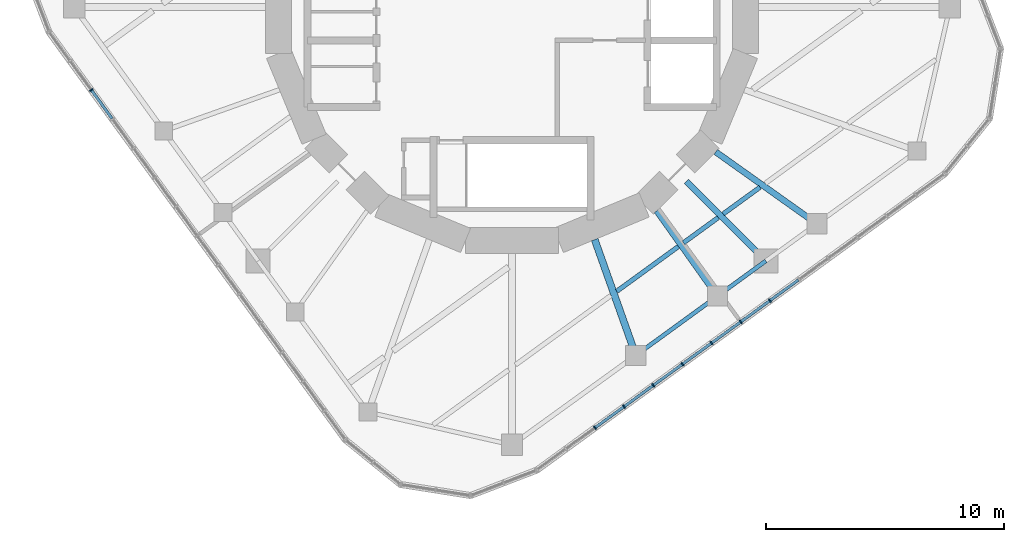
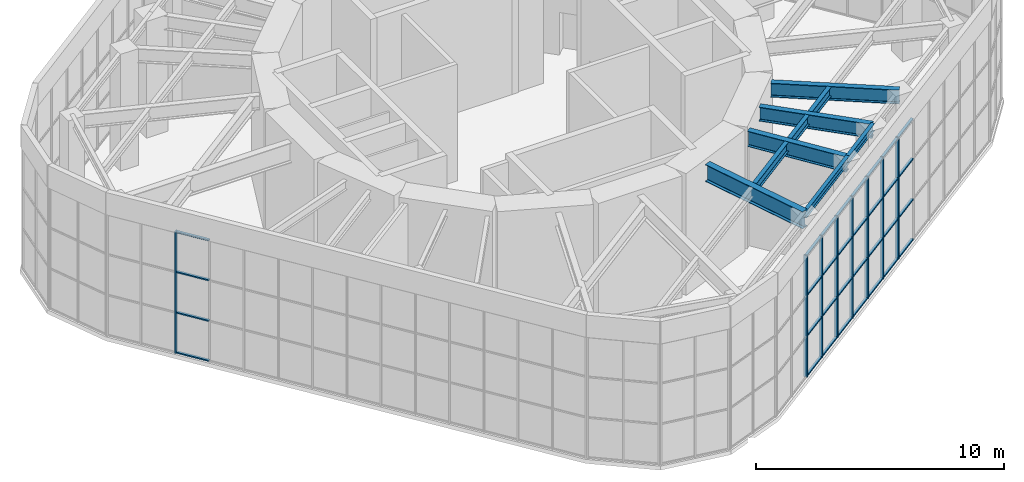
# One storey, part 4 of 17: 40 members, 9 beams, 2 elements without a shape of their own.
"""IFC4 building model written with IfcOpenShell, lengths in metres."""

from ifc_helpers import new_model, si_unit, direction, frame, origin, origin_2d, place, context, subcontext, project, spatial, rectangle, i_section, extrude, material, material_profile, profile_set, type_object, element, aggregate, save


model = new_model("IFC4")

# Units and contexts
model_context = context("Model", 3, precision=1e-05, world=origin(), true_north=direction((0.0, 1.0)))
body_context = subcontext(model_context, "Body", "Model", "MODEL_VIEW")
ifc_project = project(units=[si_unit("LENGTHUNIT", "METRE"), si_unit("AREAUNIT", "SQUARE_METRE"), si_unit("VOLUMEUNIT", "CUBIC_METRE"), si_unit("PLANEANGLEUNIT", "RADIAN"), si_unit("MASSUNIT", "GRAM", prefix="KILO")], contexts=[model_context])

# Site, building, storey
site_placement = place(None, origin())
site = spatial("IfcSite", under=ifc_project, at=site_placement, CompositionType="ELEMENT")
building_placement = place(site_placement, origin())
building = spatial("IfcBuilding", under=site, at=building_placement, Name="Nakasero Lantern House", CompositionType="ELEMENT")
storey_placement = place(building_placement, frame((0.0, 0.0, 304.39990234375)))
storey = spatial("IfcBuildingStorey", under=building, at=storey_placement, Name="L74", CompositionType="ELEMENT", Elevation=304.39990234375)

# Beams
ifc_material_1 = material(Name="Steel S355", Category="steel")
ifc_material_profile_1 = material_profile(ifc_material_1, i_section(OverallWidth=0.19140625, OverallDepth=0.4599609375, WebThickness=0.010009765625, FlangeThickness=0.01611328125, FilletRadius=0.01025390625, at=origin_2d()), Name="UB 457x191x82")
ifc_profile_set_1 = profile_set([ifc_material_profile_1], Name="Steel S355")
beam_type_1 = type_object("IfcBeamType", Name="Infill beam UB 457x191x82", PredefinedType="JOIST", material=ifc_profile_set_1)
beam_1_placement = place(storey_placement, frame((4.40185546875, -11.943603515625, 5.52001953125), z_axis=(0.809022910718, 0.587777109059, 0.0), x_axis=(-0.587777109059, 0.809022910718, 0.0)))
element("IfcBeam", 1, at=beam_1_placement, inside=storey, type_object=beam_type_1, Name="Infill beam ROOF 03.3", PredefinedType="JOIST", context=body_context, shape_type="SweptSolid", body=[
    extrude(i_section(OverallWidth=0.19140625, OverallDepth=0.4599609375, WebThickness=0.010009765625, FlangeThickness=0.01611328125, FilletRadius=0.01025390625, at=origin_2d()), origin(), (0.0, 0.0, 1.0), 3.201171875),
])
beam_2_placement = place(storey_placement, frame((7.20751953125, -9.9052734375, 5.52001953125), z_axis=(0.809028941909, 0.58776880757, 0.0), x_axis=(-0.58776880757, 0.809028941909, 0.0)))
element("IfcBeam", 2, at=beam_2_placement, inside=storey, type_object=beam_type_1, Name="Infill beam ROOF 03.4", PredefinedType="JOIST", context=body_context, shape_type="SweptSolid", body=[
    extrude(i_section(OverallWidth=0.19140625, OverallDepth=0.4599609375, WebThickness=0.010009765625, FlangeThickness=0.01611328125, FilletRadius=0.01025390625, at=origin_2d()), origin(), (0.0, 0.0, 1.0), 1.8017578125),
])
beam_3_placement = place(storey_placement, frame((8.874755859375, -8.69384765625, 5.52001953125), z_axis=(0.80900078054, 0.587807568074, 0.0), x_axis=(-0.587807568074, 0.80900078054, 0.0)))
element("IfcBeam", 3, at=beam_3_placement, inside=storey, type_object=beam_type_1, Name="Infill beam ROOF 03.5", PredefinedType="JOIST", context=body_context, shape_type="SweptSolid", body=[
    extrude(i_section(OverallWidth=0.19140625, OverallDepth=0.4599609375, WebThickness=0.010009765625, FlangeThickness=0.01611328125, FilletRadius=0.01025390625, at=origin_2d()), origin(), (0.0, 0.0, 1.0), 1.913818359375),
])

# Curtain wall, member
ifc_material_2 = material(Name="Aluminium 6063-T6 and glass", Category="aluminium")
curtain_wall_type = type_object("IfcCurtainWallType", Name="Lantern glazing CW-4", PredefinedType="USERDEFINED", material=ifc_material_2)
curtain_wall_1_placement = place(storey_placement, origin())
curtain_wall_1 = element("IfcCurtainWall", 4, at=curtain_wall_1_placement, inside=storey, type_object=curtain_wall_type, Name="Curtain wall CW-4 L74", ObjectType="UNITISED CURTAIN WALL", PredefinedType="USERDEFINED")
ifc_material_3 = material(Name="Aluminium 6063-T6", Category="aluminium")
ifc_material_profile_2 = material_profile(ifc_material_3, rectangle(XDim=0.06005859375, YDim=0.159912109375, at=origin_2d()), Name="CW-4 mullion 60x160")
ifc_profile_set_2 = profile_set([ifc_material_profile_2], Name="Aluminium 6063-T6")
member_type_1 = type_object("IfcMemberType", Name="Mullion CW-4", PredefinedType="MULLION", material=ifc_profile_set_2)
member_1_placement = place(storey_placement, frame((-17.677734375, -3.48486328125, 0.0), z_axis=(0.0, 0.0, 1.0), x_axis=(0.587785252292, -0.809016994375, 0.0)))
member_1 = element("IfcMember", 5, at=member_1_placement, type_object=member_type_1, Name="CW-4 mullion 3", PredefinedType="MULLION", context=body_context, shape_type="SweptSolid", body=[
    extrude(rectangle(XDim=0.06005859375, YDim=0.159912109375, at=origin_2d()), origin(), (0.0, 0.0, 1.0), 6.0),
])

# Curtain wall, members
curtain_wall_2_placement = place(storey_placement, origin())
curtain_wall_2 = element("IfcCurtainWall", 6, at=curtain_wall_2_placement, inside=storey, type_object=curtain_wall_type, Name="Curtain wall CW-4 L74", ObjectType="UNITISED CURTAIN WALL", PredefinedType="USERDEFINED")
member_2_placement = place(storey_placement, frame((3.48486328125, -17.677734375, 0.0), z_axis=(0.0, 0.0, 1.0), x_axis=(0.809016994375, 0.587785252292, 0.0)))
member_2 = element("IfcMember", 7, at=member_2_placement, type_object=member_type_1, Name="CW-4 mullion 3", PredefinedType="MULLION", context=body_context, shape_type="SweptSolid", body=[
    extrude(rectangle(XDim=0.06005859375, YDim=0.159912109375, at=origin_2d()), origin(), (0.0, 0.0, 1.0), 6.0),
])
member_3_placement = place(storey_placement, frame((4.7099609375, -16.787841796875, 0.0), z_axis=(0.0, 0.0, 1.0), x_axis=(0.809016994375, 0.587785252292, 0.0)))
member_3 = element("IfcMember", 8, at=member_3_placement, type_object=member_type_1, Name="CW-4 mullion 4", PredefinedType="MULLION", context=body_context, shape_type="SweptSolid", body=[
    extrude(rectangle(XDim=0.06005859375, YDim=0.159912109375, at=origin_2d()), origin(), (0.0, 0.0, 1.0), 6.0),
])
member_4_placement = place(storey_placement, frame((5.93505859375, -15.897705078125, 0.0), z_axis=(0.0, 0.0, 1.0), x_axis=(0.809016994375, 0.587785252292, 0.0)))
member_4 = element("IfcMember", 9, at=member_4_placement, type_object=member_type_1, Name="CW-4 mullion 5", PredefinedType="MULLION", context=body_context, shape_type="SweptSolid", body=[
    extrude(rectangle(XDim=0.06005859375, YDim=0.159912109375, at=origin_2d()), origin(), (0.0, 0.0, 1.0), 6.0),
])
member_5_placement = place(storey_placement, frame((7.16015625, -15.007568359375, 0.0), z_axis=(0.0, 0.0, 1.0), x_axis=(0.809016994375, 0.587785252292, 0.0)))
member_5 = element("IfcMember", 10, at=member_5_placement, type_object=member_type_1, Name="CW-4 mullion 6", PredefinedType="MULLION", context=body_context, shape_type="SweptSolid", body=[
    extrude(rectangle(XDim=0.06005859375, YDim=0.159912109375, at=origin_2d()), origin(), (0.0, 0.0, 1.0), 6.0),
])
member_6_placement = place(storey_placement, frame((8.38525390625, -14.117431640625, 0.0), z_axis=(0.0, 0.0, 1.0), x_axis=(0.809016994375, 0.587785252292, 0.0)))
member_6 = element("IfcMember", 11, at=member_6_placement, type_object=member_type_1, Name="CW-4 mullion 7", PredefinedType="MULLION", context=body_context, shape_type="SweptSolid", body=[
    extrude(rectangle(XDim=0.06005859375, YDim=0.159912109375, at=origin_2d()), origin(), (0.0, 0.0, 1.0), 6.0),
])
member_7_placement = place(storey_placement, frame((9.6103515625, -13.2275390625, 0.0), z_axis=(0.0, 0.0, 1.0), x_axis=(0.809016994375, 0.587785252292, 0.0)))
member_7 = element("IfcMember", 12, at=member_7_placement, type_object=member_type_1, Name="CW-4 mullion 8", PredefinedType="MULLION", context=body_context, shape_type="SweptSolid", body=[
    extrude(rectangle(XDim=0.06005859375, YDim=0.159912109375, at=origin_2d()), origin(), (0.0, 0.0, 1.0), 6.0),
])
member_8_placement = place(storey_placement, frame((10.83544921875, -12.33740234375, 0.0), z_axis=(0.0, 0.0, 1.0), x_axis=(0.809016994375, 0.587785252292, 0.0)))
member_8 = element("IfcMember", 13, at=member_8_placement, type_object=member_type_1, Name="CW-4 mullion 9", PredefinedType="MULLION", context=body_context, shape_type="SweptSolid", body=[
    extrude(rectangle(XDim=0.06005859375, YDim=0.159912109375, at=origin_2d()), origin(), (0.0, 0.0, 1.0), 6.0),
])

# Beams
ifc_material_4 = material(Name="Steel S355", Category="steel")
ifc_material_profile_3 = material_profile(ifc_material_4, i_section(OverallWidth=0.255859375, OverallDepth=0.69287109375, WebThickness=0.014404296875, FlangeThickness=0.023681640625, FilletRadius=0.01513671875, at=origin_2d()), Name="UB 686x254x170")
ifc_profile_set_3 = profile_set([ifc_material_profile_3], Name="Steel S355")
beam_type_2 = type_object("IfcBeamType", Name="Primary beam UB 686x254x170, span to 6 m", PredefinedType="BEAM", material=ifc_profile_set_3)
beam_4_placement = place(storey_placement, frame((12.810791015625, -9.10986328125, 5.403564453125), z_axis=(-0.814971537688, 0.579500985986, 0.0), x_axis=(-0.579500985986, -0.814971537688, 0.0)))
element("IfcBeam", 14, at=beam_4_placement, inside=storey, type_object=beam_type_2, Name="Primary beam ROOF B7-C01", PredefinedType="BEAM", context=body_context, shape_type="SweptSolid", body=[
    extrude(i_section(OverallWidth=0.255859375, OverallDepth=0.69287109375, WebThickness=0.014404296875, FlangeThickness=0.023681640625, FilletRadius=0.01513671875, at=origin_2d()), origin(), (0.0, 0.0, 1.0), 5.215087890625),
])
beam_5_placement = place(storey_placement, frame((10.667236328125, -10.667236328125, 5.403564453125), z_axis=(-0.707106781187, 0.707106781187, 0.0), x_axis=(-0.707106781187, -0.707106781187, 0.0)))
element("IfcBeam", 15, at=beam_5_placement, inside=storey, type_object=beam_type_2, Name="Primary beam ROOF B7-C24", PredefinedType="BEAM", context=body_context, shape_type="SweptSolid", body=[
    extrude(i_section(OverallWidth=0.255859375, OverallDepth=0.69287109375, WebThickness=0.014404296875, FlangeThickness=0.023681640625, FilletRadius=0.01513671875, at=origin_2d()), origin(), (0.0, 0.0, 1.0), 4.727783203125),
])
ifc_material_5 = material(Name="Steel S355", Category="steel")
ifc_material_profile_4 = material_profile(ifc_material_5, i_section(OverallWidth=0.2666015625, OverallDepth=0.76220703125, WebThickness=0.014404296875, FlangeThickness=0.021484375, FilletRadius=0.0166015625, at=origin_2d()), Name="UB 762x267x173")
ifc_profile_set_4 = profile_set([ifc_material_profile_4], Name="Steel S355")
beam_type_3 = type_object("IfcBeamType", Name="Primary beam UB 762x267x173, span to 6 m", PredefinedType="BEAM", material=ifc_profile_set_4)
beam_6_placement = place(storey_placement, frame((8.63525390625, -12.1435546875, 5.368896484375), z_axis=(-0.579477068537, 0.814988544116, 0.0), x_axis=(-0.814988544116, -0.579477068537, 0.0)))
element("IfcBeam", 16, at=beam_6_placement, inside=storey, type_object=beam_type_3, Name="Primary beam ROOF B7-C23", PredefinedType="BEAM", context=body_context, shape_type="SweptSolid", body=[
    extrude(i_section(OverallWidth=0.2666015625, OverallDepth=0.76220703125, WebThickness=0.014404296875, FlangeThickness=0.021484375, FilletRadius=0.0166015625, at=origin_2d()), origin(), (0.0, 0.0, 1.0), 4.396484375),
])
ifc_material_6 = material(Name="Steel S355", Category="steel")
ifc_material_profile_5 = material_profile(ifc_material_6, i_section(OverallWidth=0.29248046875, OverallDepth=0.8408203125, WebThickness=0.0146484375, FlangeThickness=0.02685546875, FilletRadius=0.017822265625, at=origin_2d()), Name="UB 838x292x194")
ifc_profile_set_5 = profile_set([ifc_material_profile_5], Name="Steel S355")
beam_type_4 = type_object("IfcBeamType", Name="Primary beam UB 838x292x194, span to 6 m", PredefinedType="BEAM", material=ifc_profile_set_5)
beam_7_placement = place(storey_placement, frame((5.2041015625, -14.636474609375, 5.329833984375), z_axis=(-0.3349910093, 0.942221324153, 0.0), x_axis=(-0.942221324153, -0.3349910093, 0.0)))
element("IfcBeam", 17, at=beam_7_placement, inside=storey, type_object=beam_type_4, Name="Primary beam ROOF B7-C22", PredefinedType="BEAM", context=body_context, shape_type="SweptSolid", body=[
    extrude(i_section(OverallWidth=0.29248046875, OverallDepth=0.8408203125, WebThickness=0.0146484375, FlangeThickness=0.02685546875, FilletRadius=0.017822265625, at=origin_2d()), origin(), (0.0, 0.0, 1.0), 5.162841796875),
])
ifc_material_7 = material(Name="Steel S355", Category="steel")
ifc_material_profile_6 = material_profile(ifc_material_7, i_section(OverallWidth=0.17138671875, OverallDepth=0.35498046875, WebThickness=0.00732421875, FlangeThickness=0.011474609375, FilletRadius=0.01025390625, at=origin_2d()), Name="UB 356x171x51")
ifc_profile_set_6 = profile_set([ifc_material_profile_6], Name="Steel S355")
beam_type_5 = type_object("IfcBeamType", Name="Ring beam UB 356x171x51", PredefinedType="BEAM", material=ifc_profile_set_6)
beam_8_placement = place(storey_placement, frame((5.2041015625, -14.636474609375, 5.572509765625), z_axis=(0.809012304944, 0.587791706687, 0.0), x_axis=(-0.587791706687, 0.809012304944, 0.0)))
element("IfcBeam", 18, at=beam_8_placement, inside=storey, type_object=beam_type_5, Name="Ring beam ROOF B7-C22", PredefinedType="BEAM", context=body_context, shape_type="SweptSolid", body=[
    extrude(i_section(OverallWidth=0.17138671875, OverallDepth=0.35498046875, WebThickness=0.00732421875, FlangeThickness=0.011474609375, FilletRadius=0.01025390625, at=origin_2d()), origin(), (0.0, 0.0, 1.0), 4.2412109375),
])
beam_9_placement = place(storey_placement, frame((8.63525390625, -12.1435546875, 5.572509765625), z_axis=(0.809017616558, 0.58778439593, 0.0), x_axis=(-0.58778439593, 0.809017616558, 0.0)))
element("IfcBeam", 19, at=beam_9_placement, inside=storey, type_object=beam_type_5, Name="Ring beam ROOF B7-C23", PredefinedType="BEAM", context=body_context, shape_type="SweptSolid", body=[
    extrude(i_section(OverallWidth=0.17138671875, OverallDepth=0.35498046875, WebThickness=0.00732421875, FlangeThickness=0.011474609375, FilletRadius=0.01025390625, at=origin_2d()), origin(), (0.0, 0.0, 1.0), 2.51171875),
])

# Member
ifc_material_8 = material(Name="Aluminium 6063-T6", Category="aluminium")
ifc_material_profile_7 = material_profile(ifc_material_8, rectangle(XDim=0.06005859375, YDim=0.1201171875, at=origin_2d()), Name="CW-4 transom 60x120")
ifc_profile_set_7 = profile_set([ifc_material_profile_7], Name="Aluminium 6063-T6")
member_type_2 = type_object("IfcMemberType", Name="Transom CW-4", PredefinedType="USERDEFINED", material=ifc_profile_set_7)
member_9_placement = place(storey_placement, frame((-17.66015625, -3.509033203125, 0.030029296875), z_axis=(0.587682523869, -0.809091620979, 0.0), x_axis=(0.0, 0.0, 1.0)))
member_9 = element("IfcMember", 20, at=member_9_placement, type_object=member_type_2, Name="CW-4 transom 3.1", ObjectType="TRANSOM", PredefinedType="USERDEFINED", context=body_context, shape_type="SweptSolid", body=[
    extrude(rectangle(XDim=0.06005859375, YDim=0.1201171875, at=origin_2d()), origin(), (0.0, 0.0, 1.0), 1.454345703125),
])

member_10_placement = place(storey_placement, frame((-17.66015625, -3.509033203125, 2.0), z_axis=(0.587682523869, -0.809091620979, 0.0), x_axis=(0.0, 0.0, 1.0)))
member_10 = element("IfcMember", 21, at=member_10_placement, type_object=member_type_2, Name="CW-4 transom 3.2", ObjectType="TRANSOM", PredefinedType="USERDEFINED", context=body_context, shape_type="SweptSolid", body=[
    extrude(rectangle(XDim=0.06005859375, YDim=0.1201171875, at=origin_2d()), origin(), (0.0, 0.0, 1.0), 1.454345703125),
])

member_11_placement = place(storey_placement, frame((-17.66015625, -3.509033203125, 4.0), z_axis=(0.587682523869, -0.809091620979, 0.0), x_axis=(0.0, 0.0, 1.0)))
member_11 = element("IfcMember", 22, at=member_11_placement, type_object=member_type_2, Name="CW-4 transom 3.3", ObjectType="TRANSOM", PredefinedType="USERDEFINED", context=body_context, shape_type="SweptSolid", body=[
    extrude(rectangle(XDim=0.06005859375, YDim=0.1201171875, at=origin_2d()), origin(), (0.0, 0.0, 1.0), 1.454345703125),
])

member_12_placement = place(storey_placement, frame((-17.66015625, -3.509033203125, 5.97021484375), z_axis=(0.587682523869, -0.809091620979, 0.0), x_axis=(0.0, 0.0, 1.0)))
member_12 = element("IfcMember", 23, at=member_12_placement, type_object=member_type_2, Name="CW-4 transom 3.4", ObjectType="TRANSOM", PredefinedType="USERDEFINED", context=body_context, shape_type="SweptSolid", body=[
    extrude(rectangle(XDim=0.06005859375, YDim=0.1201171875, at=origin_2d()), origin(), (0.0, 0.0, 1.0), 1.454345703125),
])

aggregate(curtain_wall_1, [member_1, member_9, member_10, member_11, member_12])

member_13_placement = place(storey_placement, frame((3.509033203125, -17.66015625, 0.030029296875), z_axis=(0.809091620979, 0.587682523869, 0.0), x_axis=(0.0, 0.0, 1.0)))
member_13 = element("IfcMember", 24, at=member_13_placement, type_object=member_type_2, Name="CW-4 transom 3.1", ObjectType="TRANSOM", PredefinedType="USERDEFINED", context=body_context, shape_type="SweptSolid", body=[
    extrude(rectangle(XDim=0.06005859375, YDim=0.1201171875, at=origin_2d()), origin(), (0.0, 0.0, 1.0), 1.454345703125),
])

member_14_placement = place(storey_placement, frame((3.509033203125, -17.66015625, 2.0), z_axis=(0.809091620979, 0.587682523869, 0.0), x_axis=(0.0, 0.0, 1.0)))
member_14 = element("IfcMember", 25, at=member_14_placement, type_object=member_type_2, Name="CW-4 transom 3.2", ObjectType="TRANSOM", PredefinedType="USERDEFINED", context=body_context, shape_type="SweptSolid", body=[
    extrude(rectangle(XDim=0.06005859375, YDim=0.1201171875, at=origin_2d()), origin(), (0.0, 0.0, 1.0), 1.454345703125),
])

member_15_placement = place(storey_placement, frame((3.509033203125, -17.66015625, 4.0), z_axis=(0.809091620979, 0.587682523869, 0.0), x_axis=(0.0, 0.0, 1.0)))
member_15 = element("IfcMember", 26, at=member_15_placement, type_object=member_type_2, Name="CW-4 transom 3.3", ObjectType="TRANSOM", PredefinedType="USERDEFINED", context=body_context, shape_type="SweptSolid", body=[
    extrude(rectangle(XDim=0.06005859375, YDim=0.1201171875, at=origin_2d()), origin(), (0.0, 0.0, 1.0), 1.454345703125),
])

member_16_placement = place(storey_placement, frame((3.509033203125, -17.66015625, 5.97021484375), z_axis=(0.809091620979, 0.587682523869, 0.0), x_axis=(0.0, 0.0, 1.0)))
member_16 = element("IfcMember", 27, at=member_16_placement, type_object=member_type_2, Name="CW-4 transom 3.4", ObjectType="TRANSOM", PredefinedType="USERDEFINED", context=body_context, shape_type="SweptSolid", body=[
    extrude(rectangle(XDim=0.06005859375, YDim=0.1201171875, at=origin_2d()), origin(), (0.0, 0.0, 1.0), 1.454345703125),
])

member_17_placement = place(storey_placement, frame((4.734130859375, -16.77001953125, 0.030029296875), z_axis=(0.809091620979, 0.587682523869, 0.0), x_axis=(0.0, 0.0, 1.0)))
member_17 = element("IfcMember", 28, at=member_17_placement, type_object=member_type_2, Name="CW-4 transom 4.1", ObjectType="TRANSOM", PredefinedType="USERDEFINED", context=body_context, shape_type="SweptSolid", body=[
    extrude(rectangle(XDim=0.06005859375, YDim=0.1201171875, at=origin_2d()), origin(), (0.0, 0.0, 1.0), 1.454345703125),
])

member_18_placement = place(storey_placement, frame((4.734130859375, -16.77001953125, 2.0), z_axis=(0.809091620979, 0.587682523869, 0.0), x_axis=(0.0, 0.0, 1.0)))
member_18 = element("IfcMember", 29, at=member_18_placement, type_object=member_type_2, Name="CW-4 transom 4.2", ObjectType="TRANSOM", PredefinedType="USERDEFINED", context=body_context, shape_type="SweptSolid", body=[
    extrude(rectangle(XDim=0.06005859375, YDim=0.1201171875, at=origin_2d()), origin(), (0.0, 0.0, 1.0), 1.454345703125),
])

member_19_placement = place(storey_placement, frame((4.734130859375, -16.77001953125, 4.0), z_axis=(0.809091620979, 0.587682523869, 0.0), x_axis=(0.0, 0.0, 1.0)))
member_19 = element("IfcMember", 30, at=member_19_placement, type_object=member_type_2, Name="CW-4 transom 4.3", ObjectType="TRANSOM", PredefinedType="USERDEFINED", context=body_context, shape_type="SweptSolid", body=[
    extrude(rectangle(XDim=0.06005859375, YDim=0.1201171875, at=origin_2d()), origin(), (0.0, 0.0, 1.0), 1.454345703125),
])

member_20_placement = place(storey_placement, frame((4.734130859375, -16.77001953125, 5.97021484375), z_axis=(0.809091620979, 0.587682523869, 0.0), x_axis=(0.0, 0.0, 1.0)))
member_20 = element("IfcMember", 31, at=member_20_placement, type_object=member_type_2, Name="CW-4 transom 4.4", ObjectType="TRANSOM", PredefinedType="USERDEFINED", context=body_context, shape_type="SweptSolid", body=[
    extrude(rectangle(XDim=0.06005859375, YDim=0.1201171875, at=origin_2d()), origin(), (0.0, 0.0, 1.0), 1.454345703125),
])

member_21_placement = place(storey_placement, frame((5.959228515625, -15.880126953125, 0.030029296875), z_axis=(0.808953803009, 0.587872217916, 0.0), x_axis=(0.0, 0.0, 1.0)))
member_21 = element("IfcMember", 32, at=member_21_placement, type_object=member_type_2, Name="CW-4 transom 5.1", ObjectType="TRANSOM", PredefinedType="USERDEFINED", context=body_context, shape_type="SweptSolid", body=[
    extrude(rectangle(XDim=0.06005859375, YDim=0.1201171875, at=origin_2d()), origin(), (0.0, 0.0, 1.0), 1.454345703125),
])

member_22_placement = place(storey_placement, frame((5.959228515625, -15.880126953125, 2.0), z_axis=(0.808953803009, 0.587872217916, 0.0), x_axis=(0.0, 0.0, 1.0)))
member_22 = element("IfcMember", 33, at=member_22_placement, type_object=member_type_2, Name="CW-4 transom 5.2", ObjectType="TRANSOM", PredefinedType="USERDEFINED", context=body_context, shape_type="SweptSolid", body=[
    extrude(rectangle(XDim=0.06005859375, YDim=0.1201171875, at=origin_2d()), origin(), (0.0, 0.0, 1.0), 1.454345703125),
])

member_23_placement = place(storey_placement, frame((5.959228515625, -15.880126953125, 4.0), z_axis=(0.808953803009, 0.587872217916, 0.0), x_axis=(0.0, 0.0, 1.0)))
member_23 = element("IfcMember", 34, at=member_23_placement, type_object=member_type_2, Name="CW-4 transom 5.3", ObjectType="TRANSOM", PredefinedType="USERDEFINED", context=body_context, shape_type="SweptSolid", body=[
    extrude(rectangle(XDim=0.06005859375, YDim=0.1201171875, at=origin_2d()), origin(), (0.0, 0.0, 1.0), 1.454345703125),
])

member_24_placement = place(storey_placement, frame((5.959228515625, -15.880126953125, 5.97021484375), z_axis=(0.808953803009, 0.587872217916, 0.0), x_axis=(0.0, 0.0, 1.0)))
member_24 = element("IfcMember", 35, at=member_24_placement, type_object=member_type_2, Name="CW-4 transom 5.4", ObjectType="TRANSOM", PredefinedType="USERDEFINED", context=body_context, shape_type="SweptSolid", body=[
    extrude(rectangle(XDim=0.06005859375, YDim=0.1201171875, at=origin_2d()), origin(), (0.0, 0.0, 1.0), 1.454345703125),
])

member_25_placement = place(storey_placement, frame((7.184326171875, -14.989990234375, 0.030029296875), z_axis=(0.809033634773, 0.587762348068, 0.0), x_axis=(0.0, 0.0, 1.0)))
member_25 = element("IfcMember", 36, at=member_25_placement, type_object=member_type_2, Name="CW-4 transom 6.1", ObjectType="TRANSOM", PredefinedType="USERDEFINED", context=body_context, shape_type="SweptSolid", body=[
    extrude(rectangle(XDim=0.06005859375, YDim=0.1201171875, at=origin_2d()), origin(), (0.0, 0.0, 1.0), 1.4541015625),
])

member_26_placement = place(storey_placement, frame((7.184326171875, -14.989990234375, 2.0), z_axis=(0.809033634773, 0.587762348068, 0.0), x_axis=(0.0, 0.0, 1.0)))
member_26 = element("IfcMember", 37, at=member_26_placement, type_object=member_type_2, Name="CW-4 transom 6.2", ObjectType="TRANSOM", PredefinedType="USERDEFINED", context=body_context, shape_type="SweptSolid", body=[
    extrude(rectangle(XDim=0.06005859375, YDim=0.1201171875, at=origin_2d()), origin(), (0.0, 0.0, 1.0), 1.4541015625),
])

member_27_placement = place(storey_placement, frame((7.184326171875, -14.989990234375, 4.0), z_axis=(0.809033634773, 0.587762348068, 0.0), x_axis=(0.0, 0.0, 1.0)))
member_27 = element("IfcMember", 38, at=member_27_placement, type_object=member_type_2, Name="CW-4 transom 6.3", ObjectType="TRANSOM", PredefinedType="USERDEFINED", context=body_context, shape_type="SweptSolid", body=[
    extrude(rectangle(XDim=0.06005859375, YDim=0.1201171875, at=origin_2d()), origin(), (0.0, 0.0, 1.0), 1.4541015625),
])

member_28_placement = place(storey_placement, frame((7.184326171875, -14.989990234375, 5.97021484375), z_axis=(0.809033634773, 0.587762348068, 0.0), x_axis=(0.0, 0.0, 1.0)))
member_28 = element("IfcMember", 39, at=member_28_placement, type_object=member_type_2, Name="CW-4 transom 6.4", ObjectType="TRANSOM", PredefinedType="USERDEFINED", context=body_context, shape_type="SweptSolid", body=[
    extrude(rectangle(XDim=0.06005859375, YDim=0.1201171875, at=origin_2d()), origin(), (0.0, 0.0, 1.0), 1.4541015625),
])

member_29_placement = place(storey_placement, frame((8.409423828125, -14.099853515625, 0.030029296875), z_axis=(0.809033634773, 0.587762348068, 0.0), x_axis=(0.0, 0.0, 1.0)))
member_29 = element("IfcMember", 40, at=member_29_placement, type_object=member_type_2, Name="CW-4 transom 7.1", ObjectType="TRANSOM", PredefinedType="USERDEFINED", context=body_context, shape_type="SweptSolid", body=[
    extrude(rectangle(XDim=0.06005859375, YDim=0.1201171875, at=origin_2d()), origin(), (0.0, 0.0, 1.0), 1.4541015625),
])

member_30_placement = place(storey_placement, frame((8.409423828125, -14.099853515625, 2.0), z_axis=(0.809033634773, 0.587762348068, 0.0), x_axis=(0.0, 0.0, 1.0)))
member_30 = element("IfcMember", 41, at=member_30_placement, type_object=member_type_2, Name="CW-4 transom 7.2", ObjectType="TRANSOM", PredefinedType="USERDEFINED", context=body_context, shape_type="SweptSolid", body=[
    extrude(rectangle(XDim=0.06005859375, YDim=0.1201171875, at=origin_2d()), origin(), (0.0, 0.0, 1.0), 1.4541015625),
])

member_31_placement = place(storey_placement, frame((8.409423828125, -14.099853515625, 4.0), z_axis=(0.809033634773, 0.587762348068, 0.0), x_axis=(0.0, 0.0, 1.0)))
member_31 = element("IfcMember", 42, at=member_31_placement, type_object=member_type_2, Name="CW-4 transom 7.3", ObjectType="TRANSOM", PredefinedType="USERDEFINED", context=body_context, shape_type="SweptSolid", body=[
    extrude(rectangle(XDim=0.06005859375, YDim=0.1201171875, at=origin_2d()), origin(), (0.0, 0.0, 1.0), 1.4541015625),
])

member_32_placement = place(storey_placement, frame((8.409423828125, -14.099853515625, 5.97021484375), z_axis=(0.809033634773, 0.587762348068, 0.0), x_axis=(0.0, 0.0, 1.0)))
member_32 = element("IfcMember", 43, at=member_32_placement, type_object=member_type_2, Name="CW-4 transom 7.4", ObjectType="TRANSOM", PredefinedType="USERDEFINED", context=body_context, shape_type="SweptSolid", body=[
    extrude(rectangle(XDim=0.06005859375, YDim=0.1201171875, at=origin_2d()), origin(), (0.0, 0.0, 1.0), 1.4541015625),
])

member_33_placement = place(storey_placement, frame((9.634521484375, -13.209716796875, 0.030029296875), z_axis=(0.809033634773, 0.587762348068, 0.0), x_axis=(0.0, 0.0, 1.0)))
member_33 = element("IfcMember", 44, at=member_33_placement, type_object=member_type_2, Name="CW-4 transom 8.1", ObjectType="TRANSOM", PredefinedType="USERDEFINED", context=body_context, shape_type="SweptSolid", body=[
    extrude(rectangle(XDim=0.06005859375, YDim=0.1201171875, at=origin_2d()), origin(), (0.0, 0.0, 1.0), 1.4541015625),
])

member_34_placement = place(storey_placement, frame((9.634521484375, -13.209716796875, 2.0), z_axis=(0.809033634773, 0.587762348068, 0.0), x_axis=(0.0, 0.0, 1.0)))
member_34 = element("IfcMember", 45, at=member_34_placement, type_object=member_type_2, Name="CW-4 transom 8.2", ObjectType="TRANSOM", PredefinedType="USERDEFINED", context=body_context, shape_type="SweptSolid", body=[
    extrude(rectangle(XDim=0.06005859375, YDim=0.1201171875, at=origin_2d()), origin(), (0.0, 0.0, 1.0), 1.4541015625),
])

member_35_placement = place(storey_placement, frame((9.634521484375, -13.209716796875, 4.0), z_axis=(0.809033634773, 0.587762348068, 0.0), x_axis=(0.0, 0.0, 1.0)))
member_35 = element("IfcMember", 46, at=member_35_placement, type_object=member_type_2, Name="CW-4 transom 8.3", ObjectType="TRANSOM", PredefinedType="USERDEFINED", context=body_context, shape_type="SweptSolid", body=[
    extrude(rectangle(XDim=0.06005859375, YDim=0.1201171875, at=origin_2d()), origin(), (0.0, 0.0, 1.0), 1.4541015625),
])

member_36_placement = place(storey_placement, frame((9.634521484375, -13.209716796875, 5.97021484375), z_axis=(0.809033634773, 0.587762348068, 0.0), x_axis=(0.0, 0.0, 1.0)))
member_36 = element("IfcMember", 47, at=member_36_placement, type_object=member_type_2, Name="CW-4 transom 8.4", ObjectType="TRANSOM", PredefinedType="USERDEFINED", context=body_context, shape_type="SweptSolid", body=[
    extrude(rectangle(XDim=0.06005859375, YDim=0.1201171875, at=origin_2d()), origin(), (0.0, 0.0, 1.0), 1.4541015625),
])

member_37_placement = place(storey_placement, frame((10.859619140625, -12.31982421875, 0.030029296875), z_axis=(0.808953803009, 0.587872217916, 0.0), x_axis=(0.0, 0.0, 1.0)))
member_37 = element("IfcMember", 48, at=member_37_placement, type_object=member_type_2, Name="CW-4 transom 9.1", ObjectType="TRANSOM", PredefinedType="USERDEFINED", context=body_context, shape_type="SweptSolid", body=[
    extrude(rectangle(XDim=0.06005859375, YDim=0.1201171875, at=origin_2d()), origin(), (0.0, 0.0, 1.0), 1.454345703125),
])

member_38_placement = place(storey_placement, frame((10.859619140625, -12.31982421875, 2.0), z_axis=(0.808953803009, 0.587872217916, 0.0), x_axis=(0.0, 0.0, 1.0)))
member_38 = element("IfcMember", 49, at=member_38_placement, type_object=member_type_2, Name="CW-4 transom 9.2", ObjectType="TRANSOM", PredefinedType="USERDEFINED", context=body_context, shape_type="SweptSolid", body=[
    extrude(rectangle(XDim=0.06005859375, YDim=0.1201171875, at=origin_2d()), origin(), (0.0, 0.0, 1.0), 1.454345703125),
])

member_39_placement = place(storey_placement, frame((10.859619140625, -12.31982421875, 4.0), z_axis=(0.808953803009, 0.587872217916, 0.0), x_axis=(0.0, 0.0, 1.0)))
member_39 = element("IfcMember", 50, at=member_39_placement, type_object=member_type_2, Name="CW-4 transom 9.3", ObjectType="TRANSOM", PredefinedType="USERDEFINED", context=body_context, shape_type="SweptSolid", body=[
    extrude(rectangle(XDim=0.06005859375, YDim=0.1201171875, at=origin_2d()), origin(), (0.0, 0.0, 1.0), 1.454345703125),
])

member_40_placement = place(storey_placement, frame((10.859619140625, -12.31982421875, 5.97021484375), z_axis=(0.808953803009, 0.587872217916, 0.0), x_axis=(0.0, 0.0, 1.0)))
member_40 = element("IfcMember", 51, at=member_40_placement, type_object=member_type_2, Name="CW-4 transom 9.4", ObjectType="TRANSOM", PredefinedType="USERDEFINED", context=body_context, shape_type="SweptSolid", body=[
    extrude(rectangle(XDim=0.06005859375, YDim=0.1201171875, at=origin_2d()), origin(), (0.0, 0.0, 1.0), 1.454345703125),
])

aggregate(curtain_wall_2, [member_2, member_3, member_4, member_5, member_6, member_7, member_8, member_13, member_14, member_15, member_16, member_17, member_18, member_19, member_20, member_21, member_22, member_23, member_24, member_25, member_26, member_27, member_28, member_29, member_30, member_31, member_32, member_33, member_34, member_35, member_36, member_37, member_38, member_39, member_40])

save(model, "model.ifc")
